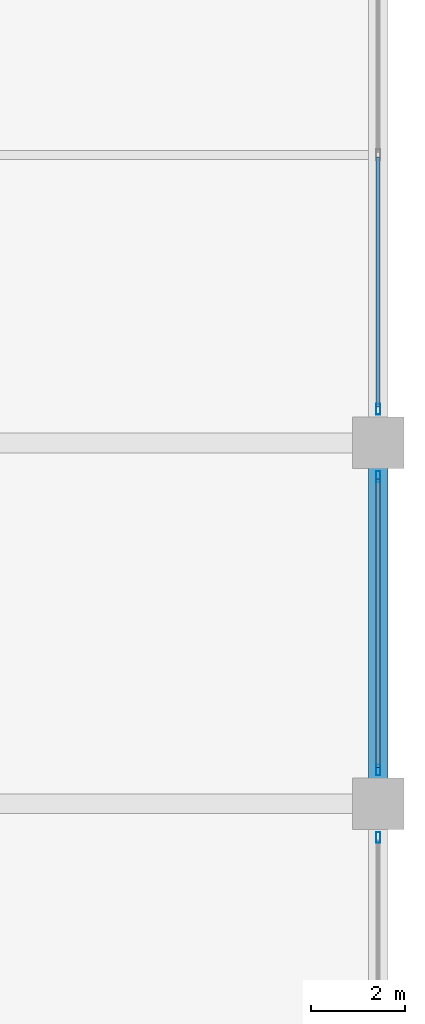
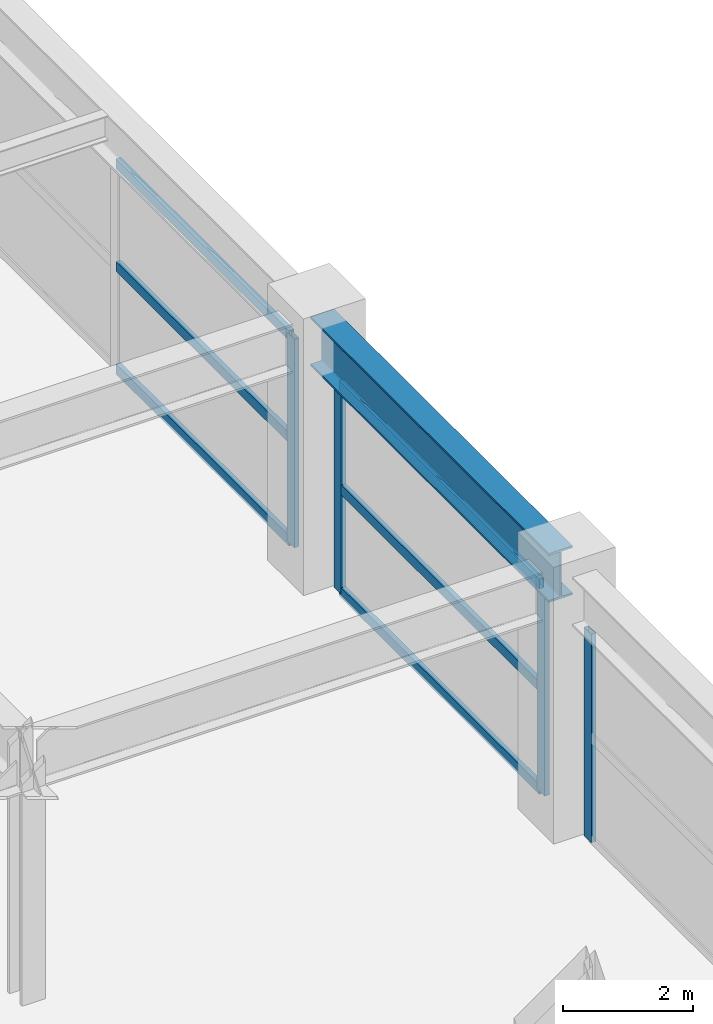
# One storey, part 30 of 43: 10 members, 1 beam, 3 elements without a shape of their own.
"""IFC4 building model written with IfcOpenShell, lengths in metres."""

import ifcopenshell
import ifcopenshell.guid

model = None  # the IFC model being written
_history = None  # IfcOwnerHistory: only IFC2X3 demands one
_inside = {}  # id of a spatial element -> (the spatial element, [elements in it])
_under = {}  # id of a project, library or spatial element -> (it, [spatial elements below it])
_declared = {}  # id of a project -> (the project, [libraries it declares])
_typed = {}  # id of a type object -> (the type object, [elements of that type])
_made_of = {}  # id of a material, layer set ... -> (it, [elements and type objects made of it])


def new_model(schema):
    """Start an empty IFC model of exactly this schema.

    Asked for "IFC4X3", IfcOpenShell would pick the latest addendum, in which some entities
    have other attributes; the version numbers below select the first issue.
    IFC2X3 requires an IfcOwnerHistory on every rooted entity: one is made here for all.
    """
    global model, _history
    if schema == "IFC4X3":
        model = ifcopenshell.file(schema_version=(4, 3, 0, 0))
    else:
        model = ifcopenshell.file(schema=schema)
    _inside.clear()
    _under.clear()
    _declared.clear()
    _typed.clear()
    _made_of.clear()
    _history = None
    if model.schema == "IFC2X3":
        org = make("IfcOrganization", Name="unknown")
        user = make(
            "IfcPersonAndOrganization",
            ThePerson=make("IfcPerson", FamilyName="unknown"),
            TheOrganization=org,
        )
        app = make(
            "IfcApplication",
            ApplicationDeveloper=org,
            Version="unknown",
            ApplicationFullName="unknown",
            ApplicationIdentifier="unknown",
        )
        _history = make(
            "IfcOwnerHistory",
            OwningUser=user,
            OwningApplication=app,
            ChangeAction="ADDED",
            CreationDate=0,
        )
    return model


def make(cls, **values):
    """One entity of the class cls with the attributes given. An attribute that is None is left unset."""
    return model.create_entity(
        cls, **{name: value for name, value in values.items() if value is not None}
    )


def rooted(cls, **values):
    """An entity with a GlobalId (a new one), such as an element, a storey or a relation."""
    return make(cls, GlobalId=ifcopenshell.guid.new(), OwnerHistory=_history, **values)


def si_unit(unit_type, name, prefix=None):
    """IfcSIUnit, for example si_unit("LENGTHUNIT", "METRE", prefix="MILLI")."""
    return make("IfcSIUnit", UnitType=unit_type, Prefix=prefix, Name=name)


def assignment(units):
    """IfcUnitAssignment: the units of a project."""
    return None if units is None else make("IfcUnitAssignment", Units=units)


def point(xyz):
    """IfcCartesianPoint."""
    return None if xyz is None else make("IfcCartesianPoint", Coordinates=xyz)


def direction(xyz):
    """IfcDirection."""
    return None if xyz is None else make("IfcDirection", DirectionRatios=xyz)


def frame(location, z_axis=None, x_axis=None):
    """IfcAxis2Placement3D, a coordinate frame: its origin and axes. An axis left out is left unset."""
    return make(
        "IfcAxis2Placement3D",
        Location=point(location),
        Axis=direction(z_axis),
        RefDirection=direction(x_axis),
    )


def frame_2d(location, x_axis=None):
    """IfcAxis2Placement2D, a coordinate frame in the plane: its origin and x axis."""
    return make(
        "IfcAxis2Placement2D", Location=point(location), RefDirection=direction(x_axis)
    )


def origin():
    """The frame at (0, 0, 0) with its axes left unset."""
    return frame((0.0, 0.0, 0.0))


def origin_2d():
    """The frame at (0, 0) in the plane with its x axis left unset."""
    return frame_2d((0.0, 0.0))


def place(relative_to, where):
    """IfcLocalPlacement: puts the frame where relative to a parent placement (None: the world)."""
    return make(
        "IfcLocalPlacement", PlacementRelTo=relative_to, RelativePlacement=where
    )


def context(
    kind, dimensions, precision=None, world=None, true_north=None, identifier=None
):
    """IfcGeometricRepresentationContext, for example the 3D "Model" context."""
    return make(
        "IfcGeometricRepresentationContext",
        ContextIdentifier=identifier,
        ContextType=kind,
        CoordinateSpaceDimension=dimensions,
        Precision=precision,
        WorldCoordinateSystem=world,
        TrueNorth=true_north,
    )


def subcontext(parent, identifier, kind, view, scale=None):
    """IfcGeometricRepresentationSubContext, for example "Body" below "Model"."""
    return make(
        "IfcGeometricRepresentationSubContext",
        ContextIdentifier=identifier,
        ContextType=kind,
        ParentContext=parent,
        TargetScale=scale,
        TargetView=view,
    )


def project(units=None, contexts=None):
    """IfcProject with its units and contexts."""
    return rooted(
        "IfcProject",
        Name="project",
        RepresentationContexts=contexts,
        UnitsInContext=assignment(units),
    )


def spatial(cls, under=None, at=None, **own):
    """A site, building, storey or space (cls), placed at a placement, below another one or the project."""
    s = rooted(cls, ObjectPlacement=at, **own)
    if under is not None:
        _under.setdefault(under.id(), (under, []))[1].append(s)
    return s


def profile(cls, at=None, kind="AREA", **sizes):
    """A parametric profile (cls). Its sizes go by their IFC names, for example OverallWidth=200.0."""
    return make(cls, ProfileType=kind, Position=at, **sizes)


def hollow_rectangle(**sizes):
    """IfcRectangleHollowProfileDef."""
    return profile("IfcRectangleHollowProfileDef", **sizes)


def i_section(**sizes):
    """IfcIShapeProfileDef."""
    return profile("IfcIShapeProfileDef", **sizes)


def extrude(swept, where, along, depth):
    """IfcExtrudedAreaSolid: the profile swept, set in the frame where, extruded along a direction by depth."""
    return make(
        "IfcExtrudedAreaSolid",
        SweptArea=swept,
        Position=where,
        ExtrudedDirection=direction(along),
        Depth=depth,
    )


def shape(context_of_items, identifier, shape_type, items):
    """IfcShapeRepresentation: the items that make up one representation, for example the "Body"."""
    return make(
        "IfcShapeRepresentation",
        ContextOfItems=context_of_items,
        RepresentationIdentifier=identifier,
        RepresentationType=shape_type,
        Items=items,
    )


def material(Name=None, Category=None):
    """IfcMaterial."""
    return make("IfcMaterial", Name=Name, Category=Category)


def material_profile(
    of_material, cross_section, Name=None, Category=None, Priority=None
):
    """IfcMaterialProfile: a cross section and its material."""
    return make(
        "IfcMaterialProfile",
        Name=Name,
        Material=of_material,
        Profile=cross_section,
        Priority=Priority,
        Category=Category,
    )


def profile_set(profiles, Name=None, composite=None):
    """IfcMaterialProfileSet."""
    return make(
        "IfcMaterialProfileSet",
        Name=Name,
        MaterialProfiles=profiles,
        CompositeProfile=composite,
    )


def made_of(thing, what):
    """Note that an element or type object is made of a material, layer set ...; save() writes the relation."""
    if what is not None:
        _made_of.setdefault(what.id(), (what, []))[1].append(thing)
    return thing


def type_object(cls, material=None, **own):
    """A type object (cls), such as IfcWallType, which elements share."""
    return made_of(rooted(cls, **own), material)


def element(
    cls,
    number,
    at=None,
    inside=None,
    cuts=None,
    type_object=None,
    material=None,
    context=None,
    identifier="Body",
    shape_type=None,
    held_by="IfcProductDefinitionShape",
    body=None,
    shapes=None,
    **own,
):
    """One element of the class cls, such as IfcWall. Its Tag is "e" and its number.

    at: its placement. inside: the storey or other place that contains it. cuts: it is an
    opening in that element (IfcRelVoidsElement). A single representation is given by context,
    identifier, shape_type and body (its items); several are given by shapes. held_by: the class
    of the entity that holds the representations. save() writes the other relations.
    """
    e = rooted(cls, Tag="e%d" % number, ObjectPlacement=at, **own)
    if body is not None:
        shapes = [shape(context, identifier, shape_type, body)]
    if shapes is not None:
        e.Representation = make(held_by, Representations=shapes)
    if inside is not None:
        _inside.setdefault(inside.id(), (inside, []))[1].append(e)
    if cuts is not None:
        rooted(
            "IfcRelVoidsElement", RelatingBuildingElement=cuts, RelatedOpeningElement=e
        )
    if type_object is not None:
        _typed.setdefault(type_object.id(), (type_object, []))[1].append(e)
    return made_of(e, material)


def aggregate(whole, parts):
    """IfcRelAggregates: a whole, such as a stair, and the parts it consists of."""
    return rooted("IfcRelAggregates", RelatingObject=whole, RelatedObjects=parts)


def save(model, path):
    """Write the relations noted so far, then the file.

    IfcRelAggregates (storeys below a building ...), IfcRelContainedInSpatialStructure (elements
    in a storey), IfcRelDefinesByType, IfcRelAssociatesMaterial and IfcRelDeclares: one each for
    every whole, place, type object, material and project.
    """
    for whole, parts in _under.values():
        aggregate(whole, parts)
    for where, things in _inside.values():
        rooted(
            "IfcRelContainedInSpatialStructure",
            RelatedElements=things,
            RelatingStructure=where,
        )
    for kind, things in _typed.values():
        rooted("IfcRelDefinesByType", RelatedObjects=things, RelatingType=kind)
    for what, things in _made_of.values():
        rooted("IfcRelAssociatesMaterial", RelatedObjects=things, RelatingMaterial=what)
    for by, libraries in _declared.values():
        rooted("IfcRelDeclares", RelatingContext=by, RelatedDefinitions=libraries)
    model.write(path)


model = new_model("IFC4")

# Units and contexts
model_context = context("Model", 3, precision=1e-05, world=origin(), true_north=direction((0.0, 1.0)))
body_context = subcontext(model_context, "Body", "Model", "MODEL_VIEW")
ifc_project = project(units=[si_unit("LENGTHUNIT", "METRE"), si_unit("AREAUNIT", "SQUARE_METRE"), si_unit("VOLUMEUNIT", "CUBIC_METRE"), si_unit("PLANEANGLEUNIT", "RADIAN"), si_unit("MASSUNIT", "GRAM", prefix="KILO")], contexts=[model_context])

# Site, building, storey
site_placement = place(None, origin())
site = spatial("IfcSite", under=ifc_project, at=site_placement, CompositionType="ELEMENT")
building_placement = place(site_placement, origin())
building = spatial("IfcBuilding", under=site, at=building_placement, Name="Kovane Verandah Tower", CompositionType="ELEMENT")
storey_placement = place(building_placement, frame((0.0, 0.0, 11.199951171875)))
storey = spatial("IfcBuildingStorey", under=building, at=storey_placement, Name="L02", CompositionType="ELEMENT", Elevation=11.199951171875)

# Beam
ifc_material_1 = material(Name="Steel S460", Category="steel")
ifc_material_profile_1 = material_profile(ifc_material_1, i_section(OverallWidth=0.42041015625, OverallDepth=0.9208984375, WebThickness=0.021484375, FlangeThickness=0.03662109375, FilletRadius=0.024169921875, at=origin_2d()), Name="UB914x419x388")
ifc_profile_set_1 = profile_set([ifc_material_profile_1], Name="Steel S460")
beam_type = type_object("IfcBeamType", Name="BM-UB914x388", PredefinedType="BEAM", material=ifc_profile_set_1)
beam_placement = place(storey_placement, frame((82.0, 36.679931640625, 4.439453125), z_axis=(0.0, 1.0, 0.0), x_axis=(-1.0, 0.0, 0.0)))
element("IfcBeam", 1, at=beam_placement, inside=storey, type_object=beam_type, Name="L02 Podium Grid Girder Y42", PredefinedType="BEAM", context=body_context, shape_type="SweptSolid", body=[
    extrude(i_section(OverallWidth=0.42041015625, OverallDepth=0.9208984375, WebThickness=0.021484375, FlangeThickness=0.03662109375, FilletRadius=0.024169921875, at=origin_2d()), origin(), (0.0, 0.0, 1.0), 7.340087890625),
])

# Curtain wall, member
ifc_material_2 = material(Name="Champagne Anodised Aluminium Frame with Low-E Clear Laminated Glass", Category="aluminium")
curtain_wall_type = type_object("IfcCurtainWallType", Name="CW-SYS-01-POD", PredefinedType="NOTDEFINED", material=ifc_material_2)
curtain_wall_1_placement = place(storey_placement, origin())
curtain_wall_1 = element("IfcCurtainWall", 2, at=curtain_wall_1_placement, inside=storey, type_object=curtain_wall_type, Name="L02 East Podium Curtain Wall Bay 3", PredefinedType="NOTDEFINED")
ifc_material_3 = material(Name="Champagne Anodised Aluminium 6063-T6", Category="aluminium")
ifc_material_profile_2 = material_profile(ifc_material_3, hollow_rectangle(XDim=0.0849609375, YDim=0.22998046875, WallThickness=0.00390625, at=origin_2d()), Name="AL85x230x4")
ifc_profile_set_2 = profile_set([ifc_material_profile_2], Name="Champagne Anodised Aluminium 6063-T6")
member_type_1 = type_object("IfcMemberType", Name="CW-MUL-85x230", PredefinedType="MULLION", material=ifc_profile_set_2)
member_1_placement = place(storey_placement, frame((82.0, 35.780029296875, 0.02001953125), z_axis=(0.0, 0.0, 1.0), x_axis=(1.0, 0.0, 0.0)))
member_1 = element("IfcMember", 3, at=member_1_placement, type_object=member_type_1, Name="L02 East Podium Curtain Wall Bay 3 Mullion 4", PredefinedType="MULLION", context=body_context, shape_type="SweptSolid", body=[
    extrude(hollow_rectangle(XDim=0.0849609375, YDim=0.22998046875, WallThickness=0.00390625, at=origin_2d()), origin(), (0.0, 0.0, 1.0), 3.9189453125),
])
aggregate(curtain_wall_1, [member_1])

# Curtain wall, members
curtain_wall_2_placement = place(storey_placement, origin())
curtain_wall_2 = element("IfcCurtainWall", 4, at=curtain_wall_2_placement, inside=storey, type_object=curtain_wall_type, Name="L02 East Podium Curtain Wall Bay 4", PredefinedType="NOTDEFINED")
member_2_placement = place(storey_placement, frame((82.0, 37.219970703125, 0.02001953125), z_axis=(0.0, 0.0, 1.0), x_axis=(1.0, 0.0, 0.0)))
member_2 = element("IfcMember", 5, at=member_2_placement, type_object=member_type_1, Name="L02 East Podium Curtain Wall Bay 4 Mullion 1", PredefinedType="MULLION", context=body_context, shape_type="SweptSolid", body=[
    extrude(hollow_rectangle(XDim=0.0849609375, YDim=0.22998046875, WallThickness=0.00390625, at=origin_2d()), origin(), (0.0, 0.0, 1.0), 3.9189453125),
])
member_3_placement = place(storey_placement, frame((82.0, 43.47998046875, 0.02001953125), z_axis=(0.0, 0.0, 1.0), x_axis=(1.0, 0.0, 0.0)))
member_3 = element("IfcMember", 6, at=member_3_placement, type_object=member_type_1, Name="L02 East Podium Curtain Wall Bay 4 Mullion 2", PredefinedType="MULLION", context=body_context, shape_type="SweptSolid", body=[
    extrude(hollow_rectangle(XDim=0.0849609375, YDim=0.22998046875, WallThickness=0.00390625, at=origin_2d()), origin(), (0.0, 0.0, 1.0), 3.9189453125),
])

# Curtain wall, member
curtain_wall_3_placement = place(storey_placement, origin())
curtain_wall_3 = element("IfcCurtainWall", 7, at=curtain_wall_3_placement, inside=storey, type_object=curtain_wall_type, Name="L02 East Podium Curtain Wall Bay 5", PredefinedType="NOTDEFINED")
member_4_placement = place(storey_placement, frame((82.0, 44.919921875, 0.02001953125), z_axis=(0.0, 0.0, 1.0), x_axis=(1.0, 0.0, 0.0)))
member_4 = element("IfcMember", 8, at=member_4_placement, type_object=member_type_1, Name="L02 East Podium Curtain Wall Bay 5 Mullion 1", PredefinedType="MULLION", context=body_context, shape_type="SweptSolid", body=[
    extrude(hollow_rectangle(XDim=0.0849609375, YDim=0.22998046875, WallThickness=0.00390625, at=origin_2d()), origin(), (0.0, 0.0, 1.0), 3.9189453125),
])

# Member
ifc_material_profile_3 = material_profile(ifc_material_3, hollow_rectangle(XDim=0.0849609375, YDim=0.18994140625, WallThickness=0.00390625, at=origin_2d()), Name="AL85x190x4")
ifc_profile_set_3 = profile_set([ifc_material_profile_3], Name="Champagne Anodised Aluminium 6063-T6")
member_type_2 = type_object("IfcMemberType", Name="CW-TRN-85x190", PredefinedType="USERDEFINED", material=ifc_profile_set_3)
member_5_placement = place(storey_placement, frame((82.0, 37.27001953125, 0.050048828125), z_axis=(0.0, 1.0, 0.0), x_axis=(-1.0, 0.0, 0.0)))
member_5 = element("IfcMember", 9, at=member_5_placement, type_object=member_type_2, Name="L02 East Podium Curtain Wall Bay 4 Transom TB Bay 1", ObjectType="TRANSOM", PredefinedType="USERDEFINED", context=body_context, shape_type="SweptSolid", body=[
    extrude(hollow_rectangle(XDim=0.0849609375, YDim=0.18994140625, WallThickness=0.00390625, at=origin_2d()), origin(), (0.0, 0.0, 1.0), 6.159912109375),
])

member_6_placement = place(storey_placement, frame((82.0, 37.27001953125, 1.9794921875), z_axis=(0.0, 1.0, 0.0), x_axis=(-1.0, 0.0, 0.0)))
member_6 = element("IfcMember", 10, at=member_6_placement, type_object=member_type_2, Name="L02 East Podium Curtain Wall Bay 4 Transom TM Bay 1", ObjectType="TRANSOM", PredefinedType="USERDEFINED", context=body_context, shape_type="SweptSolid", body=[
    extrude(hollow_rectangle(XDim=0.0849609375, YDim=0.18994140625, WallThickness=0.00390625, at=origin_2d()), origin(), (0.0, 0.0, 1.0), 6.159912109375),
])

member_7_placement = place(storey_placement, frame((82.0, 37.27001953125, 3.908935546875), z_axis=(0.0, 1.0, 0.0), x_axis=(-1.0, 0.0, 0.0)))
member_7 = element("IfcMember", 11, at=member_7_placement, type_object=member_type_2, Name="L02 East Podium Curtain Wall Bay 4 Transom TT Bay 1", ObjectType="TRANSOM", PredefinedType="USERDEFINED", context=body_context, shape_type="SweptSolid", body=[
    extrude(hollow_rectangle(XDim=0.0849609375, YDim=0.18994140625, WallThickness=0.00390625, at=origin_2d()), origin(), (0.0, 0.0, 1.0), 6.159912109375),
])

aggregate(curtain_wall_2, [member_2, member_3, member_5, member_6, member_7])

member_8_placement = place(storey_placement, frame((82.0, 44.969970703125, 0.050048828125), z_axis=(0.0, 1.0, 0.0), x_axis=(-1.0, 0.0, 0.0)))
member_8 = element("IfcMember", 12, at=member_8_placement, type_object=member_type_2, Name="L02 East Podium Curtain Wall Bay 5 Transom TB Bay 1", ObjectType="TRANSOM", PredefinedType="USERDEFINED", context=body_context, shape_type="SweptSolid", body=[
    extrude(hollow_rectangle(XDim=0.0849609375, YDim=0.18994140625, WallThickness=0.00390625, at=origin_2d()), origin(), (0.0, 0.0, 1.0), 5.330078125),
])

member_9_placement = place(storey_placement, frame((82.0, 44.969970703125, 1.9794921875), z_axis=(0.0, 1.0, 0.0), x_axis=(-1.0, 0.0, 0.0)))
member_9 = element("IfcMember", 13, at=member_9_placement, type_object=member_type_2, Name="L02 East Podium Curtain Wall Bay 5 Transom TM Bay 1", ObjectType="TRANSOM", PredefinedType="USERDEFINED", context=body_context, shape_type="SweptSolid", body=[
    extrude(hollow_rectangle(XDim=0.0849609375, YDim=0.18994140625, WallThickness=0.00390625, at=origin_2d()), origin(), (0.0, 0.0, 1.0), 5.330078125),
])

member_10_placement = place(storey_placement, frame((82.0, 44.969970703125, 3.908935546875), z_axis=(0.0, 1.0, 0.0), x_axis=(-1.0, 0.0, 0.0)))
member_10 = element("IfcMember", 14, at=member_10_placement, type_object=member_type_2, Name="L02 East Podium Curtain Wall Bay 5 Transom TT Bay 1", ObjectType="TRANSOM", PredefinedType="USERDEFINED", context=body_context, shape_type="SweptSolid", body=[
    extrude(hollow_rectangle(XDim=0.0849609375, YDim=0.18994140625, WallThickness=0.00390625, at=origin_2d()), origin(), (0.0, 0.0, 1.0), 5.330078125),
])

aggregate(curtain_wall_3, [member_4, member_8, member_9, member_10])

save(model, "model.ifc")
